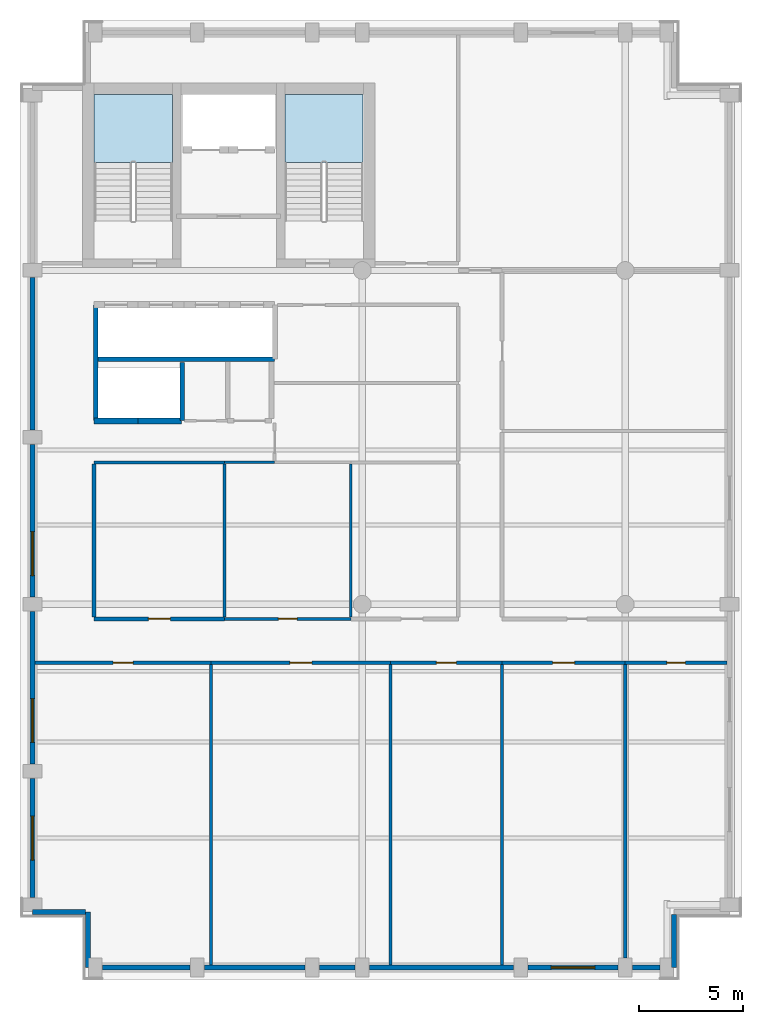
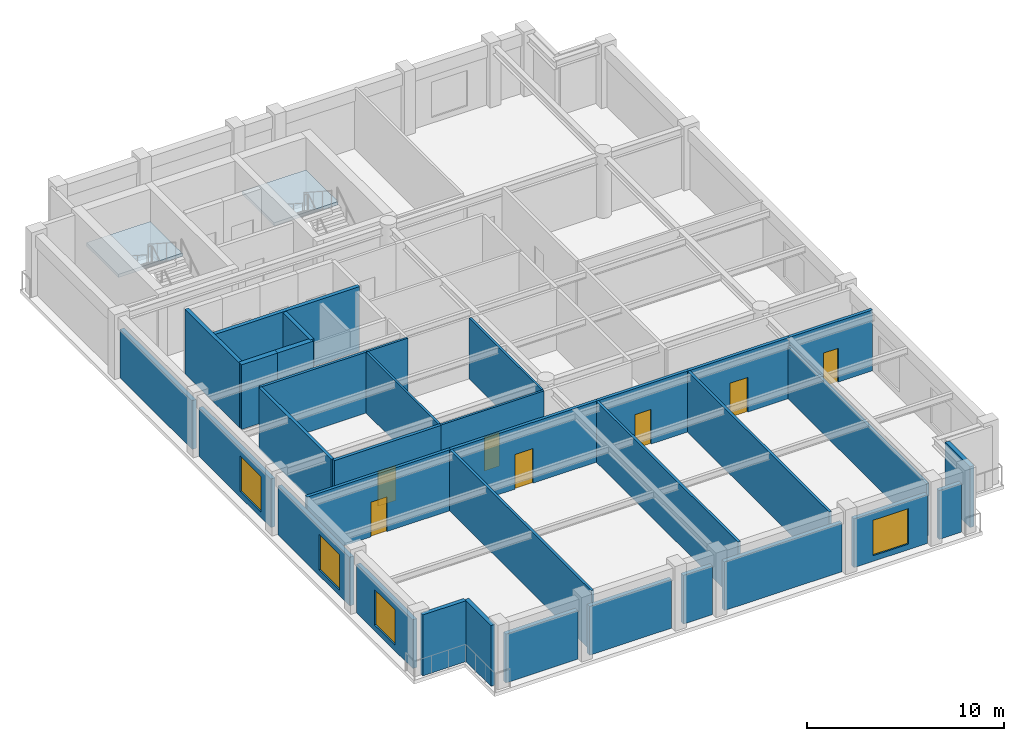
# One storey, part 2 of 6: 34 walls, 7 doors, 4 windows, 2 slabs, 11 openings, 2 elements without a shape of their own.
"""IFC4 building model written with IfcOpenShell, lengths in metres."""

from ifc_helpers import new_model, si_unit, direction, frame, frame_2d, origin, place, context, subcontext, project, spatial, polyline, rectangle, outline, extrude, material, layer, layer_set, type_object, element, fill, aggregate, save


model = new_model("IFC4")

# Units and contexts
model_context = context("Model", 3, precision=1e-05, world=origin(), true_north=direction((0.0, 1.0)))
body_context = subcontext(model_context, "Body", "Model", "MODEL_VIEW")
ifc_project = project(units=[si_unit("LENGTHUNIT", "METRE"), si_unit("AREAUNIT", "SQUARE_METRE"), si_unit("VOLUMEUNIT", "CUBIC_METRE"), si_unit("PLANEANGLEUNIT", "RADIAN"), si_unit("MASSUNIT", "GRAM", prefix="KILO")], contexts=[model_context])

# Site, building, storey
site_placement = place(None, origin())
site = spatial("IfcSite", under=ifc_project, at=site_placement, CompositionType="ELEMENT")
building_placement = place(site_placement, origin())
building = spatial("IfcBuilding", under=site, at=building_placement, Name="Sulina Concourse Tower", CompositionType="ELEMENT")
storey_placement = place(building_placement, frame((0.0, 0.0, 309.0)))
storey = spatial("IfcBuildingStorey", under=building, at=storey_placement, Name="L75", CompositionType="ELEMENT", Elevation=309.0)

# Stair, slab
ifc_material_1 = material(Name="Concrete C50/60", Category="concrete")
stair_type = type_object("IfcStairType", Name="Primary Core Dog-Leg Exit Stair 1800mm", PredefinedType="HALF_TURN_STAIR", material=ifc_material_1)
stair_1_placement = place(storey_placement, origin())
stair_1 = element("IfcStair", 1, at=stair_1_placement, inside=storey, type_object=stair_type, Name="L75 ST-1", PredefinedType="HALF_TURN_STAIR")
ifc_material_2 = material(Name="Concrete C50/60", Category="concrete")
ifc_layer_1 = layer(ifc_material_2, 0.199951171875)
ifc_layer_set_1 = layer_set([ifc_layer_1], Name="Concrete C50/60")
slab_type = type_object("IfcSlabType", Name="Primary Core Stair Landing Slab 200mm", PredefinedType="LANDING", material=ifc_layer_set_1)
slab_1_placement = place(storey_placement, frame((0.0, 0.0, 1.800048828125)))
slab_1 = element("IfcSlab", 2, at=slab_1_placement, type_object=slab_type, Name="ST-1 landing 1", PredefinedType="LANDING", context=body_context, shape_type="SweptSolid", body=[
    extrude(outline(polyline([(7.304931640625, 39.175048828125), (7.304931640625, 42.425048828125), (3.554931640625, 42.425048828125), (3.554931640625, 39.175048828125), (7.304931640625, 39.175048828125)])), origin(), (0.0, 0.0, 1.0), 0.199951171875),
])
aggregate(stair_1, [slab_1])

stair_2_placement = place(storey_placement, origin())
stair_2 = element("IfcStair", 3, at=stair_2_placement, inside=storey, type_object=stair_type, Name="L75 ST-2", PredefinedType="HALF_TURN_STAIR")
slab_2_placement = place(storey_placement, frame((0.0, 0.0, 1.800048828125)))
slab_2 = element("IfcSlab", 4, at=slab_2_placement, type_object=slab_type, Name="ST-2 landing 1", PredefinedType="LANDING", context=body_context, shape_type="SweptSolid", body=[
    extrude(outline(polyline([(16.445068359375, 39.175048828125), (16.445068359375, 42.425048828125), (12.695068359375, 42.425048828125), (12.695068359375, 39.175048828125), (16.445068359375, 39.175048828125)])), origin(), (0.0, 0.0, 1.0), 0.199951171875),
])
aggregate(stair_2, [slab_2])

# Walls
ifc_material_3 = material(Name="Concrete C50/60", Category="concrete")
ifc_layer_2 = layer(ifc_material_3, 0.219970703125)
ifc_layer_set_2 = layer_set([ifc_layer_2], Name="Concrete C50/60")
wall_type_1 = type_object("IfcWallType", Name="Core Lift Hoistway Divider Wall 220mm", PredefinedType="SOLIDWALL", material=ifc_layer_set_2)
wall_1_placement = place(storey_placement, frame((3.550048828125, 29.75, 0.0), z_axis=(0.0, 0.0, 1.0), x_axis=(1.0, 0.0, 0.0)))
element("IfcWall", 5, at=wall_1_placement, inside=storey, type_object=wall_type_1, Name="L75 shaft divider wall HW-LP3-S", PredefinedType="SOLIDWALL", context=body_context, shape_type="SweptSolid", body=[
    extrude(rectangle(XDim=8.64990234375, YDim=0.219970703125, at=frame_2d((4.324951171875, 0.0))), origin(), (0.0, 0.0, 1.0), 4.0),
])
wall_2_placement = place(storey_placement, frame((3.6298828125, 26.800048828125, 0.0), z_axis=(0.0, 0.0, 1.0), x_axis=(0.0, 1.0, 0.0)))
element("IfcWall", 6, at=wall_2_placement, inside=storey, type_object=wall_type_1, Name="L75 shaft divider wall HW-LP3-W", PredefinedType="SOLIDWALL", context=body_context, shape_type="SweptSolid", body=[
    extrude(rectangle(XDim=5.550048828125, YDim=0.219970703125, at=frame_2d((2.77490234375, 0.0))), origin(), (0.0, 0.0, 1.0), 4.0),
])
wall_3_placement = place(storey_placement, frame((7.780029296875, 26.800048828125, 0.0), z_axis=(0.0, 0.0, 1.0), x_axis=(0.0, 1.0, 0.0)))
element("IfcWall", 7, at=wall_3_placement, inside=storey, type_object=wall_type_1, Name="L75 shaft divider wall HW-EXP-E", PredefinedType="SOLIDWALL", context=body_context, shape_type="SweptSolid", body=[
    extrude(rectangle(XDim=2.800048828125, YDim=0.219970703125, at=frame_2d((1.39990234375, 0.0))), origin(), (0.0, 0.0, 1.0), 4.0),
])
ifc_material_4 = material(Name="Concrete C50/60", Category="concrete")
ifc_layer_3 = layer(ifc_material_4, 0.300048828125)
ifc_layer_set_3 = layer_set([ifc_layer_3], Name="Concrete C50/60")
wall_type_2 = type_object("IfcWallType", Name="Core Lift Hoistway Wall 300mm", PredefinedType="SOLIDWALL", material=ifc_layer_set_3)
wall_4_placement = place(storey_placement, frame((5.64990234375, 26.780029296875, 0.0), z_axis=(0.0, 0.0, 1.0), x_axis=(-1.0, 0.0, 0.0)))
element("IfcWall", 8, at=wall_4_placement, inside=storey, type_object=wall_type_2, Name="L75 hoistway enclosure wall EXP-1", PredefinedType="SOLIDWALL", context=body_context, shape_type="SweptSolid", body=[
    extrude(rectangle(XDim=2.099853515625, YDim=0.300048828125, at=frame_2d((1.0498046875, 0.0))), origin(), (0.0, 0.0, 1.0), 4.0),
])
wall_5_placement = place(storey_placement, frame((7.75, 26.780029296875, 0.0), z_axis=(0.0, 0.0, 1.0), x_axis=(-1.0, 0.0, 0.0)))
element("IfcWall", 9, at=wall_5_placement, inside=storey, type_object=wall_type_2, Name="L75 hoistway enclosure wall EXP-2", PredefinedType="SOLIDWALL", context=body_context, shape_type="SweptSolid", body=[
    extrude(rectangle(XDim=2.10009765625, YDim=0.300048828125, at=frame_2d((1.050048828125, 0.0))), origin(), (0.0, 0.0, 1.0), 4.0),
])
ifc_material_5 = material(Name="Precast concrete C50/60", Category="concrete")
ifc_layer_4 = layer(ifc_material_5, 0.239990234375)
ifc_layer_set_4 = layer_set([ifc_layer_4], Name="Precast concrete C50/60")
wall_type_3 = type_object("IfcWallType", Name="Crown Precast Masonry-Frame Facade Wall 240mm", PredefinedType="SOLIDWALL", material=ifc_layer_set_4)
wall_6_placement = place(storey_placement, frame((8.155029296875, 0.60009765625, 0.0), z_axis=(0.0, 0.0, 1.0), x_axis=(-1.0, 0.0, 0.0)))
element("IfcWall", 10, at=wall_6_placement, inside=storey, type_object=wall_type_3, Name="L75 exterior precast wall S1", PredefinedType="SOLIDWALL", context=body_context, shape_type="SweptSolid", body=[
    extrude(rectangle(XDim=4.2099609375, YDim=0.239990234375, at=frame_2d((2.10498046875, 0.0))), origin(), (0.0, 0.0, 1.0), 3.02490234375),
])
wall_7_placement = place(storey_placement, frame((13.655029296875, 0.60009765625, 0.0), z_axis=(0.0, 0.0, 1.0), x_axis=(-1.0, 0.0, 0.0)))
element("IfcWall", 11, at=wall_7_placement, inside=storey, type_object=wall_type_3, Name="L75 exterior precast wall S2", PredefinedType="SOLIDWALL", context=body_context, shape_type="SweptSolid", body=[
    extrude(rectangle(XDim=4.81005859375, YDim=0.239990234375, at=frame_2d((2.405029296875, 0.0))), origin(), (0.0, 0.0, 1.0), 3.02490234375),
])
wall_8_placement = place(storey_placement, frame((16.054931640625, 0.60009765625, 0.0), z_axis=(0.0, 0.0, 1.0), x_axis=(-1.0, 0.0, 0.0)))
element("IfcWall", 12, at=wall_8_placement, inside=storey, type_object=wall_type_3, Name="L75 exterior precast wall S3", PredefinedType="SOLIDWALL", context=body_context, shape_type="SweptSolid", body=[
    extrude(rectangle(XDim=1.7099609375, YDim=0.239990234375, at=frame_2d((0.85498046875, 0.0))), origin(), (0.0, 0.0, 1.0), 3.02490234375),
])
wall_9_placement = place(storey_placement, frame((23.655029296875, 0.60009765625, 0.0), z_axis=(0.0, 0.0, 1.0), x_axis=(-1.0, 0.0, 0.0)))
element("IfcWall", 13, at=wall_9_placement, inside=storey, type_object=wall_type_3, Name="L75 exterior precast wall S4", PredefinedType="SOLIDWALL", context=body_context, shape_type="SweptSolid", body=[
    extrude(rectangle(XDim=6.909912109375, YDim=0.239990234375, at=frame_2d((3.455078125, 0.0))), origin(), (0.0, 0.0, 1.0), 3.02490234375),
])

# Wall, opening, window
wall_10_placement = place(storey_placement, frame((28.655029296875, 0.60009765625, 0.0), z_axis=(0.0, 0.0, 1.0), x_axis=(-1.0, 0.0, 0.0)))
wall_10 = element("IfcWall", 14, at=wall_10_placement, inside=storey, type_object=wall_type_3, Name="L75 exterior precast wall S5", PredefinedType="SOLIDWALL", context=body_context, shape_type="SweptSolid", body=[
    extrude(rectangle(XDim=4.31005859375, YDim=0.239990234375, at=frame_2d((2.155029296875, 0.0))), origin(), (0.0, 0.0, 1.0), 3.02490234375),
])
opening_1_placement = place(wall_10_placement, frame((1.10498046875, 0.0, 0.35009765625)))
opening_1 = element("IfcOpeningElement", 15, at=opening_1_placement, cuts=wall_10, Name="Opening WN-33", PredefinedType="OPENING", context=body_context, shape_type="SweptSolid", body=[
    extrude(rectangle(XDim=2.10009765625, YDim=2.199951171875, at=frame_2d((1.050048828125, 1.10009765625))), frame((0.0, 0.1298828125, 0.0), z_axis=(0.0, -1.0, 0.0), x_axis=(1.0, 0.0, 0.0)), (0.0, 0.0, 1.0), 0.260009765625),
])
ifc_material_6 = material(Name="Low-E solar double glazing in bronze aluminium", Category="aluminium")
window_type = type_object("IfcWindowType", Name="Punched Masonry-Frame Window 2100x2200", PartitioningType="DOUBLE_PANEL_VERTICAL", PredefinedType="WINDOW", material=ifc_material_6)
window_1_placement = place(opening_1_placement, origin())
window_1 = element("IfcWindow", 16, at=window_1_placement, inside=storey, type_object=window_type, Name="L75 punched window S5-1", OverallHeight=2.199951171875, OverallWidth=2.10009765625, PartitioningType="SINGLE_PANEL", PredefinedType="WINDOW", context=body_context, shape_type="SweptSolid", body=[
    extrude(rectangle(XDim=2.10009765625, YDim=2.199951171875, at=frame_2d((1.050048828125, 1.10009765625))), frame((0.0, 0.030029296875, 0.0), z_axis=(0.0, -1.0, 0.0), x_axis=(1.0, 0.0, 0.0)), (0.0, 0.0, 1.0), 0.06005859375),
])
fill(opening_1, window_1)

# Wall
wall_11_placement = place(storey_placement, frame((30.655029296875, 0.60009765625, 0.0), z_axis=(0.0, 0.0, 1.0), x_axis=(-1.0, 0.0, 0.0)))
element("IfcWall", 17, at=wall_11_placement, inside=storey, type_object=wall_type_3, Name="L75 exterior precast wall S6", PredefinedType="SOLIDWALL", context=body_context, shape_type="SweptSolid", body=[
    extrude(rectangle(XDim=1.31005859375, YDim=0.239990234375, at=frame_2d((0.655029296875, 0.0))), origin(), (0.0, 0.0, 1.0), 3.02490234375),
])

# Wall, opening, window
wall_12_placement = place(storey_placement, frame((0.60009765625, 3.945068359375, 0.0), z_axis=(0.0, 0.0, 1.0), x_axis=(0.0, 1.0, 0.0)))
wall_12 = element("IfcWall", 18, at=wall_12_placement, inside=storey, type_object=wall_type_3, Name="L75 exterior precast wall W1", PredefinedType="SOLIDWALL", context=body_context, shape_type="SweptSolid", body=[
    extrude(rectangle(XDim=5.7099609375, YDim=0.239990234375, at=frame_2d((2.85498046875, 0.0))), origin(), (0.0, 0.0, 1.0), 3.02490234375),
])
opening_2_placement = place(wall_12_placement, frame((1.804931640625, 0.0, 0.35009765625)))
opening_2 = element("IfcOpeningElement", 19, at=opening_2_placement, cuts=wall_12, Name="Opening WN-33", PredefinedType="OPENING", context=body_context, shape_type="SweptSolid", body=[
    extrude(rectangle(XDim=2.10009765625, YDim=2.199951171875, at=frame_2d((1.050048828125, 1.10009765625))), frame((0.0, 0.1298828125, 0.0), z_axis=(0.0, -1.0, 0.0), x_axis=(1.0, 0.0, 0.0)), (0.0, 0.0, 1.0), 0.260009765625),
])
window_2_placement = place(opening_2_placement, origin())
window_2 = element("IfcWindow", 20, at=window_2_placement, inside=storey, type_object=window_type, Name="L75 punched window W1-1", OverallHeight=2.199951171875, OverallWidth=2.10009765625, PartitioningType="SINGLE_PANEL", PredefinedType="WINDOW", context=body_context, shape_type="SweptSolid", body=[
    extrude(rectangle(XDim=2.10009765625, YDim=2.199951171875, at=frame_2d((1.050048828125, 1.10009765625))), frame((0.0, 0.030029296875, 0.0), z_axis=(0.0, -1.0, 0.0), x_axis=(1.0, 0.0, 0.0)), (0.0, 0.0, 1.0), 0.06005859375),
])
fill(opening_2, window_2)

wall_13_placement = place(storey_placement, frame((0.60009765625, 10.344970703125, 0.0), z_axis=(0.0, 0.0, 1.0), x_axis=(0.0, 1.0, 0.0)))
wall_13 = element("IfcWall", 21, at=wall_13_placement, inside=storey, type_object=wall_type_3, Name="L75 exterior precast wall W2", PredefinedType="SOLIDWALL", context=body_context, shape_type="SweptSolid", body=[
    extrude(rectangle(XDim=7.31005859375, YDim=0.239990234375, at=frame_2d((3.655029296875, 0.0))), origin(), (0.0, 0.0, 1.0), 3.02490234375),
])
opening_3_placement = place(wall_13_placement, frame((1.03662109375, 0.0, 0.35009765625)))
opening_3 = element("IfcOpeningElement", 22, at=opening_3_placement, cuts=wall_13, Name="Opening WN-33", PredefinedType="OPENING", context=body_context, shape_type="SweptSolid", body=[
    extrude(rectangle(XDim=2.10009765625, YDim=2.199951171875, at=frame_2d((1.050048828125, 1.10009765625))), frame((0.0, 0.1298828125, 0.0), z_axis=(0.0, -1.0, 0.0), x_axis=(1.0, 0.0, 0.0)), (0.0, 0.0, 1.0), 0.260009765625),
])
window_3_placement = place(opening_3_placement, origin())
window_3 = element("IfcWindow", 23, at=window_3_placement, inside=storey, type_object=window_type, Name="L75 punched window W2-1", OverallHeight=2.199951171875, OverallWidth=2.10009765625, PartitioningType="SINGLE_PANEL", PredefinedType="WINDOW", context=body_context, shape_type="SweptSolid", body=[
    extrude(rectangle(XDim=2.10009765625, YDim=2.199951171875, at=frame_2d((1.050048828125, 1.10009765625))), frame((0.0, 0.030029296875, 0.0), z_axis=(0.0, -1.0, 0.0), x_axis=(1.0, 0.0, 0.0)), (0.0, 0.0, 1.0), 0.06005859375),
])
fill(opening_3, window_3)

wall_14_placement = place(storey_placement, frame((0.60009765625, 18.344970703125, 0.0), z_axis=(0.0, 0.0, 1.0), x_axis=(0.0, 1.0, 0.0)))
wall_14 = element("IfcWall", 24, at=wall_14_placement, inside=storey, type_object=wall_type_3, Name="L75 exterior precast wall W3", PredefinedType="SOLIDWALL", context=body_context, shape_type="SweptSolid", body=[
    extrude(rectangle(XDim=7.31005859375, YDim=0.239990234375, at=frame_2d((3.655029296875, 0.0))), origin(), (0.0, 0.0, 1.0), 3.02490234375),
])
opening_4_placement = place(wall_14_placement, frame((1.03662109375, 0.0, 0.35009765625)))
opening_4 = element("IfcOpeningElement", 25, at=opening_4_placement, cuts=wall_14, Name="Opening WN-33", PredefinedType="OPENING", context=body_context, shape_type="SweptSolid", body=[
    extrude(rectangle(XDim=2.10009765625, YDim=2.199951171875, at=frame_2d((1.050048828125, 1.10009765625))), frame((0.0, 0.1298828125, 0.0), z_axis=(0.0, -1.0, 0.0), x_axis=(1.0, 0.0, 0.0)), (0.0, 0.0, 1.0), 0.260009765625),
])
window_4_placement = place(opening_4_placement, origin())
window_4 = element("IfcWindow", 26, at=window_4_placement, inside=storey, type_object=window_type, Name="L75 punched window W3-1", OverallHeight=2.199951171875, OverallWidth=2.10009765625, PartitioningType="SINGLE_PANEL", PredefinedType="WINDOW", context=body_context, shape_type="SweptSolid", body=[
    extrude(rectangle(XDim=2.10009765625, YDim=2.199951171875, at=frame_2d((1.050048828125, 1.10009765625))), frame((0.0, 0.030029296875, 0.0), z_axis=(0.0, -1.0, 0.0), x_axis=(1.0, 0.0, 0.0)), (0.0, 0.0, 1.0), 0.06005859375),
])
fill(opening_4, window_4)

# Walls
wall_15_placement = place(storey_placement, frame((0.60009765625, 26.344970703125, 0.0), z_axis=(0.0, 0.0, 1.0), x_axis=(0.0, 1.0, 0.0)))
element("IfcWall", 27, at=wall_15_placement, inside=storey, type_object=wall_type_3, Name="L75 exterior precast wall W4", PredefinedType="SOLIDWALL", context=body_context, shape_type="SweptSolid", body=[
    extrude(rectangle(XDim=7.31005859375, YDim=0.239990234375, at=frame_2d((3.655029296875, 0.0))), origin(), (0.0, 0.0, 1.0), 3.02490234375),
])
wall_16_placement = place(storey_placement, frame((31.344970703125, 3.1298828125, 0.0), z_axis=(0.0, 0.0, 1.0), x_axis=(0.0, -1.0, 0.0)))
element("IfcWall", 28, at=wall_16_placement, inside=storey, type_object=wall_type_3, Name="L75 exterior precast wall CSE2", PredefinedType="SOLIDWALL", context=body_context, shape_type="SweptSolid", body=[
    extrude(rectangle(XDim=2.52978515625, YDim=0.239990234375, at=frame_2d((1.264892578125, 0.0))), origin(), (0.0, 0.0, 1.0), 3.77490234375),
])
wall_17_placement = place(storey_placement, frame((3.2548828125, 0.60009765625, 0.0), z_axis=(0.0, 0.0, 1.0), x_axis=(0.0, 1.0, 0.0)))
element("IfcWall", 29, at=wall_17_placement, inside=storey, type_object=wall_type_3, Name="L75 exterior precast wall CSW1", PredefinedType="SOLIDWALL", context=body_context, shape_type="SweptSolid", body=[
    extrude(rectangle(XDim=2.65478515625, YDim=0.239990234375, at=frame_2d((1.327392578125, 0.0))), origin(), (0.0, 0.0, 1.0), 3.77490234375),
])
wall_18_placement = place(storey_placement, frame((3.1298828125, 3.2548828125, 0.0), z_axis=(0.0, 0.0, 1.0), x_axis=(-1.0, 0.0, 0.0)))
element("IfcWall", 30, at=wall_18_placement, inside=storey, type_object=wall_type_3, Name="L75 exterior precast wall CSW2", PredefinedType="SOLIDWALL", context=body_context, shape_type="SweptSolid", body=[
    extrude(rectangle(XDim=2.52978515625, YDim=0.239990234375, at=frame_2d((1.264892578125, 0.0))), origin(), (0.0, 0.0, 1.0), 3.77490234375),
])
ifc_material_7 = material(Name="Gypsum board on steel stud", Category="steel")
ifc_layer_5 = layer(ifc_material_7, 0.14990234375)
ifc_layer_set_5 = layer_set([ifc_layer_5], Name="Gypsum board on steel stud")
wall_type_4 = type_object("IfcWallType", Name="Inter-Tenancy Acoustic Partition 150mm", PredefinedType="PARTITIONING", material=ifc_layer_set_5)
wall_19_placement = place(storey_placement, frame((3.550048828125, 24.800048828125, 0.0), z_axis=(0.0, 0.0, 1.0), x_axis=(1.0, 0.0, 0.0)))
element("IfcWall", 31, at=wall_19_placement, inside=storey, type_object=wall_type_4, Name="L75 interior partition 010", PredefinedType="PARTITIONING", context=body_context, shape_type="SweptSolid", body=[
    extrude(rectangle(XDim=6.25, YDim=0.14990234375, at=frame_2d((3.125, 0.0))), origin(), (0.0, 0.0, 1.0), 3.77490234375),
])
for number, where, z_axis, x_axis, name in (
    (32, (9.159912109375, 0.719970703125, 0.0), (0.0, 0.0, 1.0), (0.0, 1.0, 0.0), "L75 interior partition 026"),
    (33, (17.760009765625, 0.719970703125, 0.0), (0.0, 0.0, 1.0), (0.0, 1.0, 0.0), "L75 interior partition 032"),
    (34, (23.10009765625, 0.719970703125, 0.0), (0.0, 0.0, 1.0), (0.0, 1.0, 0.0), "L75 interior partition 037"),
):
    element("IfcWall", number, at=place(storey_placement, frame(where, z_axis=z_axis, x_axis=x_axis)), inside=storey, type_object=wall_type_4, Name=name, PredefinedType="PARTITIONING", context=body_context, shape_type="SweptSolid", body=[
        extrude(rectangle(XDim=14.39013671875, YDim=0.14990234375, at=frame_2d((7.195068359375, 0.0))), origin(), (0.0, 0.0, 1.0), 3.77490234375),
    ])
wall_20_placement = place(storey_placement, frame((29.0, 1.050048828125, 0.0), z_axis=(0.0, 0.0, 1.0), x_axis=(0.0, 1.0, 0.0)))
element("IfcWall", 35, at=wall_20_placement, inside=storey, type_object=wall_type_4, Name="L75 interior partition 040", PredefinedType="PARTITIONING", context=body_context, shape_type="SweptSolid", body=[
    extrude(rectangle(XDim=14.06005859375, YDim=0.14990234375, at=frame_2d((7.030029296875, 0.0))), origin(), (0.0, 0.0, 1.0), 3.27001953125),
])

# Wall, opening, door
ifc_material_8 = material(Name="Gypsum board on steel stud", Category="steel")
ifc_layer_6 = layer(ifc_material_8, 0.179931640625)
ifc_layer_set_6 = layer_set([ifc_layer_6], Name="Gypsum board on steel stud")
wall_type_5 = type_object("IfcWallType", Name="Protected Corridor & Riser Partition 180mm", PredefinedType="PARTITIONING", material=ifc_layer_set_6)
wall_21_placement = place(storey_placement, frame((0.719970703125, 15.199951171875, 0.0), z_axis=(0.0, 0.0, 1.0), x_axis=(1.0, 0.0, 0.0)))
wall_21 = element("IfcWall", 36, at=wall_21_placement, inside=storey, type_object=wall_type_5, Name="L75 interior partition 001", PredefinedType="PARTITIONING", context=body_context, shape_type="SweptSolid", body=[
    extrude(rectangle(XDim=8.43994140625, YDim=0.179931640625, at=frame_2d((4.219970703125, 0.0))), origin(), (0.0, 0.0, 1.0), 3.77490234375),
])
opening_5_placement = place(wall_21_placement, frame((3.7451171875, 0.0, 0.0)))
opening_5 = element("IfcOpeningElement", 37, at=opening_5_placement, cuts=wall_21, Name="Opening DR-19", PredefinedType="OPENING", context=body_context, shape_type="SweptSolid", body=[
    extrude(rectangle(XDim=0.949951171875, YDim=2.14990234375, at=frame_2d((0.47509765625, 1.074951171875))), frame((0.0, 0.099853515625, 0.0), z_axis=(0.0, -1.0, 0.0), x_axis=(1.0, 0.0, 0.0)), (0.0, 0.0, 1.0), 0.199951171875),
])
ifc_material_9 = material(Name="Oak-veneered acoustic timber leaf", Category="wood")
ifc_layer_7 = layer(ifc_material_9, 0.050048828125)
ifc_layer_set_7 = layer_set([ifc_layer_7], Name="Oak-veneered acoustic timber leaf")
door_type_1 = type_object("IfcDoorType", Name="Cellular Office & Meeting Door 950x2150", OperationType="NOTDEFINED", PredefinedType="DOOR", material=ifc_layer_set_7)
door_1_placement = place(opening_5_placement, origin())
door_1 = element("IfcDoor", 38, at=door_1_placement, inside=storey, type_object=door_type_1, Name="L75 interior door L75-S01", OperationType="SINGLE_SWING_LEFT", OverallHeight=2.14990234375, OverallWidth=0.949951171875, PredefinedType="DOOR", context=body_context, shape_type="SweptSolid", body=[
    extrude(rectangle(XDim=0.949951171875, YDim=2.14990234375, at=frame_2d((0.47509765625, 1.074951171875))), frame((0.0, 0.02490234375, 0.0), z_axis=(0.0, -1.0, 0.0), x_axis=(1.0, 0.0, 0.0)), (0.0, 0.0, 1.0), 0.050048828125),
])
fill(opening_5, door_1)

wall_22_placement = place(storey_placement, frame((9.159912109375, 15.199951171875, 0.0), z_axis=(0.0, 0.0, 1.0), x_axis=(1.0, 0.0, 0.0)))
wall_22 = element("IfcWall", 39, at=wall_22_placement, inside=storey, type_object=wall_type_5, Name="L75 interior partition 002", PredefinedType="PARTITIONING", context=body_context, shape_type="SweptSolid", body=[
    extrude(rectangle(XDim=8.60009765625, YDim=0.179931640625, at=frame_2d((4.300048828125, 0.0))), origin(), (0.0, 0.0, 1.0), 3.77490234375),
])
opening_6_placement = place(wall_22_placement, frame((3.77490234375, 0.0, 0.0)))
opening_6 = element("IfcOpeningElement", 40, at=opening_6_placement, cuts=wall_22, Name="Opening DR-37", PredefinedType="OPENING", context=body_context, shape_type="SweptSolid", body=[
    extrude(rectangle(XDim=1.050048828125, YDim=2.14990234375, at=frame_2d((0.52490234375, 1.074951171875))), frame((0.0, 0.099853515625, 0.0), z_axis=(0.0, -1.0, 0.0), x_axis=(1.0, 0.0, 0.0)), (0.0, 0.0, 1.0), 0.199951171875),
])
ifc_material_10 = material(Name="Oak-veneered fire door leaf")
ifc_layer_8 = layer(ifc_material_10, 0.050048828125)
ifc_layer_set_8 = layer_set([ifc_layer_8], Name="Oak-veneered fire door leaf")
door_type_2 = type_object("IfcDoorType", Name="Tenant Suite Entrance Fire Door 1050x2150", OperationType="NOTDEFINED", PredefinedType="DOOR", material=ifc_layer_set_8)
door_2_placement = place(opening_6_placement, origin())
door_2 = element("IfcDoor", 41, at=door_2_placement, inside=storey, type_object=door_type_2, Name="L75 interior door L75-S02", OperationType="SINGLE_SWING_RIGHT", OverallHeight=2.14990234375, OverallWidth=1.050048828125, PredefinedType="DOOR", context=body_context, shape_type="SweptSolid", body=[
    extrude(rectangle(XDim=1.050048828125, YDim=2.14990234375, at=frame_2d((0.52490234375, 1.074951171875))), frame((0.0, 0.02490234375, 0.0), z_axis=(0.0, -1.0, 0.0), x_axis=(1.0, 0.0, 0.0)), (0.0, 0.0, 1.0), 0.050048828125),
])
fill(opening_6, door_2)

wall_23_placement = place(storey_placement, frame((17.760009765625, 15.199951171875, 0.0), z_axis=(0.0, 0.0, 1.0), x_axis=(1.0, 0.0, 0.0)))
wall_23 = element("IfcWall", 42, at=wall_23_placement, inside=storey, type_object=wall_type_5, Name="L75 interior partition 003", PredefinedType="PARTITIONING", context=body_context, shape_type="SweptSolid", body=[
    extrude(rectangle(XDim=5.340087890625, YDim=0.179931640625, at=frame_2d((2.669921875, 0.0))), origin(), (0.0, 0.0, 1.0), 3.77490234375),
])
opening_7_placement = place(wall_23_placement, frame((2.195068359375, 0.0, 0.0)))
opening_7 = element("IfcOpeningElement", 43, at=opening_7_placement, cuts=wall_23, Name="Opening DR-19", PredefinedType="OPENING", context=body_context, shape_type="SweptSolid", body=[
    extrude(rectangle(XDim=0.949951171875, YDim=2.14990234375, at=frame_2d((0.47509765625, 1.074951171875))), frame((0.0, 0.099853515625, 0.0), z_axis=(0.0, -1.0, 0.0), x_axis=(1.0, 0.0, 0.0)), (0.0, 0.0, 1.0), 0.199951171875),
])
door_3_placement = place(opening_7_placement, origin())
door_3 = element("IfcDoor", 44, at=door_3_placement, inside=storey, type_object=door_type_1, Name="L75 interior door L75-S03", OperationType="SINGLE_SWING_LEFT", OverallHeight=2.14990234375, OverallWidth=0.949951171875, PredefinedType="DOOR", context=body_context, shape_type="SweptSolid", body=[
    extrude(rectangle(XDim=0.949951171875, YDim=2.14990234375, at=frame_2d((0.47509765625, 1.074951171875))), frame((0.0, 0.02490234375, 0.0), z_axis=(0.0, -1.0, 0.0), x_axis=(1.0, 0.0, 0.0)), (0.0, 0.0, 1.0), 0.050048828125),
])
fill(opening_7, door_3)

wall_24_placement = place(storey_placement, frame((23.10009765625, 15.199951171875, 0.0), z_axis=(0.0, 0.0, 1.0), x_axis=(1.0, 0.0, 0.0)))
wall_24 = element("IfcWall", 45, at=wall_24_placement, inside=storey, type_object=wall_type_5, Name="L75 interior partition 004", PredefinedType="PARTITIONING", context=body_context, shape_type="SweptSolid", body=[
    extrude(rectangle(XDim=5.89990234375, YDim=0.179931640625, at=frame_2d((2.949951171875, 0.0))), origin(), (0.0, 0.0, 1.0), 3.77490234375),
])
opening_8_placement = place(wall_24_placement, frame((2.425048828125, 0.0, 0.0)))
opening_8 = element("IfcOpeningElement", 46, at=opening_8_placement, cuts=wall_24, Name="Opening DR-37", PredefinedType="OPENING", context=body_context, shape_type="SweptSolid", body=[
    extrude(rectangle(XDim=1.050048828125, YDim=2.14990234375, at=frame_2d((0.52490234375, 1.074951171875))), frame((0.0, 0.099853515625, 0.0), z_axis=(0.0, -1.0, 0.0), x_axis=(1.0, 0.0, 0.0)), (0.0, 0.0, 1.0), 0.199951171875),
])
door_4_placement = place(opening_8_placement, origin())
door_4 = element("IfcDoor", 47, at=door_4_placement, inside=storey, type_object=door_type_2, Name="L75 interior door L75-S04", OperationType="SINGLE_SWING_RIGHT", OverallHeight=2.14990234375, OverallWidth=1.050048828125, PredefinedType="DOOR", context=body_context, shape_type="SweptSolid", body=[
    extrude(rectangle(XDim=1.050048828125, YDim=2.14990234375, at=frame_2d((0.52490234375, 1.074951171875))), frame((0.0, 0.02490234375, 0.0), z_axis=(0.0, -1.0, 0.0), x_axis=(1.0, 0.0, 0.0)), (0.0, 0.0, 1.0), 0.050048828125),
])
fill(opening_8, door_4)

wall_25_placement = place(storey_placement, frame((29.0, 15.199951171875, 0.0), z_axis=(0.0, 0.0, 1.0), x_axis=(1.0, 0.0, 0.0)))
wall_25 = element("IfcWall", 48, at=wall_25_placement, inside=storey, type_object=wall_type_5, Name="L75 interior partition 005", PredefinedType="PARTITIONING", context=body_context, shape_type="SweptSolid", body=[
    extrude(rectangle(XDim=4.8798828125, YDim=0.179931640625, at=frame_2d((2.43994140625, 0.0))), origin(), (0.0, 0.0, 1.0), 3.77490234375),
])
opening_9_placement = place(wall_25_placement, frame((2.0, 0.0, 0.0)))
opening_9 = element("IfcOpeningElement", 49, at=opening_9_placement, cuts=wall_25, Name="Opening DR-38", PredefinedType="OPENING", context=body_context, shape_type="SweptSolid", body=[
    extrude(rectangle(XDim=0.8798828125, YDim=2.10009765625, at=frame_2d((0.43994140625, 1.050048828125))), frame((0.0, 0.099853515625, 0.0), z_axis=(0.0, -1.0, 0.0), x_axis=(1.0, 0.0, 0.0)), (0.0, 0.0, 1.0), 0.199951171875),
])
ifc_material_11 = material(Name="Galvanised steel acoustic fire leaf", Category="steel")
ifc_layer_9 = layer(ifc_material_11, 0.050048828125)
ifc_layer_set_9 = layer_set([ifc_layer_9], Name="Galvanised steel acoustic fire leaf")
door_type_3 = type_object("IfcDoorType", Name="Service Riser Fire Door 880x2100", OperationType="NOTDEFINED", PredefinedType="DOOR", material=ifc_layer_set_9)
door_5_placement = place(opening_9_placement, origin())
door_5 = element("IfcDoor", 50, at=door_5_placement, inside=storey, type_object=door_type_3, Name="L75 interior door L75-S05", OperationType="SINGLE_SWING_LEFT", OverallHeight=2.10009765625, OverallWidth=0.8798828125, PredefinedType="DOOR", context=body_context, shape_type="SweptSolid", body=[
    extrude(rectangle(XDim=0.8798828125, YDim=2.10009765625, at=frame_2d((0.43994140625, 1.050048828125))), frame((0.0, 0.02490234375, 0.0), z_axis=(0.0, -1.0, 0.0), x_axis=(1.0, 0.0, 0.0)), (0.0, 0.0, 1.0), 0.050048828125),
])
fill(opening_9, door_5)

wall_26_placement = place(storey_placement, frame((3.550048828125, 17.300048828125, 0.0), z_axis=(0.0, 0.0, 1.0), x_axis=(1.0, 0.0, 0.0)))
wall_26 = element("IfcWall", 51, at=wall_26_placement, inside=storey, type_object=wall_type_5, Name="L75 interior partition 006", PredefinedType="PARTITIONING", context=body_context, shape_type="SweptSolid", body=[
    extrude(rectangle(XDim=6.25, YDim=0.179931640625, at=frame_2d((3.125, 0.0))), origin(), (0.0, 0.0, 1.0), 3.77490234375),
])
opening_10_placement = place(wall_26_placement, frame((2.60009765625, 0.0, 0.0)))
opening_10 = element("IfcOpeningElement", 52, at=opening_10_placement, cuts=wall_26, Name="Opening DR-37", PredefinedType="OPENING", context=body_context, shape_type="SweptSolid", body=[
    extrude(rectangle(XDim=1.050048828125, YDim=2.14990234375, at=frame_2d((0.52490234375, 1.074951171875))), frame((0.0, 0.099853515625, 0.0), z_axis=(0.0, -1.0, 0.0), x_axis=(1.0, 0.0, 0.0)), (0.0, 0.0, 1.0), 0.199951171875),
])
door_6_placement = place(opening_10_placement, origin())
door_6 = element("IfcDoor", 53, at=door_6_placement, inside=storey, type_object=door_type_2, Name="L75 interior door L75-LR-MRG1", OperationType="SINGLE_SWING_RIGHT", OverallHeight=2.14990234375, OverallWidth=1.050048828125, PredefinedType="DOOR", context=body_context, shape_type="SweptSolid", body=[
    extrude(rectangle(XDim=1.050048828125, YDim=2.14990234375, at=frame_2d((0.52490234375, 1.074951171875))), frame((0.0, 0.02490234375, 0.0), z_axis=(0.0, -1.0, 0.0), x_axis=(1.0, 0.0, 0.0)), (0.0, 0.0, 1.0), 0.050048828125),
])
fill(opening_10, door_6)

# Wall
wall_27_placement = place(storey_placement, frame((3.550048828125, 17.389892578125, 0.0), z_axis=(0.0, 0.0, 1.0), x_axis=(0.0, 1.0, 0.0)))
element("IfcWall", 54, at=wall_27_placement, inside=storey, type_object=wall_type_5, Name="L75 interior partition 025", PredefinedType="PARTITIONING", context=body_context, shape_type="SweptSolid", body=[
    extrude(rectangle(XDim=7.335205078125, YDim=0.179931640625, at=frame_2d((3.66748046875, 0.0))), origin(), (0.0, 0.0, 1.0), 3.77490234375),
])

# Wall, opening, door
ifc_material_12 = material(Name="Gypsum board on steel stud", Category="steel")
ifc_layer_10 = layer(ifc_material_12, 0.125)
ifc_layer_set_10 = layer_set([ifc_layer_10], Name="Gypsum board on steel stud")
wall_type_6 = type_object("IfcWallType", Name="Wet-Area Moisture-Resistant Partition 125mm", PredefinedType="PARTITIONING", material=ifc_layer_set_10)
wall_28_placement = place(storey_placement, frame((9.800048828125, 17.300048828125, 0.0), z_axis=(0.0, 0.0, 1.0), x_axis=(1.0, 0.0, 0.0)))
wall_28 = element("IfcWall", 55, at=wall_28_placement, inside=storey, type_object=wall_type_6, Name="L75 interior partition 007", PredefinedType="PARTITIONING", context=body_context, shape_type="SweptSolid", body=[
    extrude(rectangle(XDim=6.050048828125, YDim=0.125, at=frame_2d((3.02490234375, 0.0))), origin(), (0.0, 0.0, 1.0), 3.77490234375),
])
opening_11_placement = place(wall_28_placement, frame((2.574951171875, 0.0, 0.0)))
opening_11 = element("IfcOpeningElement", 56, at=opening_11_placement, cuts=wall_28, Name="Opening DR-21", PredefinedType="OPENING", context=body_context, shape_type="SweptSolid", body=[
    extrude(rectangle(XDim=0.89990234375, YDim=2.10009765625, at=frame_2d((0.449951171875, 1.050048828125))), frame((0.0, 0.072509765625, 0.0), z_axis=(0.0, -1.0, 0.0), x_axis=(1.0, 0.0, 0.0)), (0.0, 0.0, 1.0), 0.14501953125),
])
ifc_material_13 = material(Name="Oak-veneered fire door leaf")
ifc_layer_11 = layer(ifc_material_13, 0.050048828125)
ifc_layer_set_11 = layer_set([ifc_layer_11], Name="Oak-veneered fire door leaf")
door_type_4 = type_object("IfcDoorType", Name="Restroom & Service Door 900x2100", OperationType="NOTDEFINED", PredefinedType="DOOR", material=ifc_layer_set_11)
door_7_placement = place(opening_11_placement, origin())
door_7 = element("IfcDoor", 57, at=door_7_placement, inside=storey, type_object=door_type_4, Name="L75 interior door L75-LR-MRG2", OperationType="SINGLE_SWING_LEFT", OverallHeight=2.10009765625, OverallWidth=0.89990234375, PredefinedType="DOOR", context=body_context, shape_type="SweptSolid", body=[
    extrude(rectangle(XDim=0.89990234375, YDim=2.10009765625, at=frame_2d((0.449951171875, 1.050048828125))), frame((0.0, 0.02490234375, 0.0), z_axis=(0.0, -1.0, 0.0), x_axis=(1.0, 0.0, 0.0)), (0.0, 0.0, 1.0), 0.050048828125),
])
fill(opening_11, door_7)

# Walls
wall_29_placement = place(storey_placement, frame((9.800048828125, 24.800048828125, 0.0), z_axis=(0.0, 0.0, 1.0), x_axis=(1.0, 0.0, 0.0)))
element("IfcWall", 58, at=wall_29_placement, inside=storey, type_object=wall_type_6, Name="L75 interior partition 011", PredefinedType="PARTITIONING", context=body_context, shape_type="SweptSolid", body=[
    extrude(rectangle(XDim=2.39990234375, YDim=0.125, at=frame_2d((1.199951171875, 0.0))), origin(), (0.0, 0.0, 1.0), 3.77490234375),
])
for number, where, z_axis, x_axis, name in (
    (59, (9.800048828125, 17.389892578125, 0.0), (0.0, 0.0, 1.0), (0.0, 1.0, 0.0), "L75 interior partition 027"),
    (60, (15.85009765625, 17.389892578125, 0.0), (0.0, 0.0, 1.0), (0.0, 1.0, 0.0), "L75 interior partition 031"),
):
    element("IfcWall", number, at=place(storey_placement, frame(where, z_axis=z_axis, x_axis=x_axis)), inside=storey, type_object=wall_type_6, Name=name, PredefinedType="PARTITIONING", context=body_context, shape_type="SweptSolid", body=[
        extrude(rectangle(XDim=7.335205078125, YDim=0.125, at=frame_2d((3.66748046875, 0.0))), origin(), (0.0, 0.0, 1.0), 3.77490234375),
    ])

save(model, "model.ifc")
